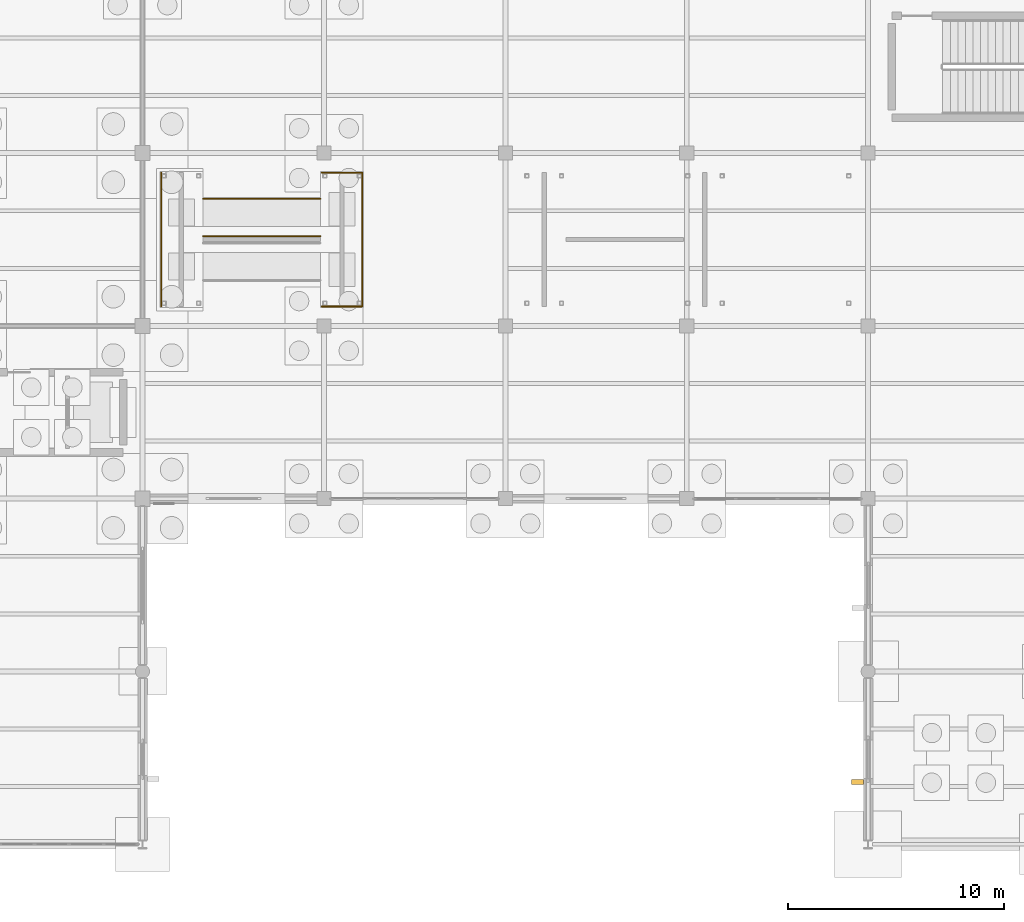
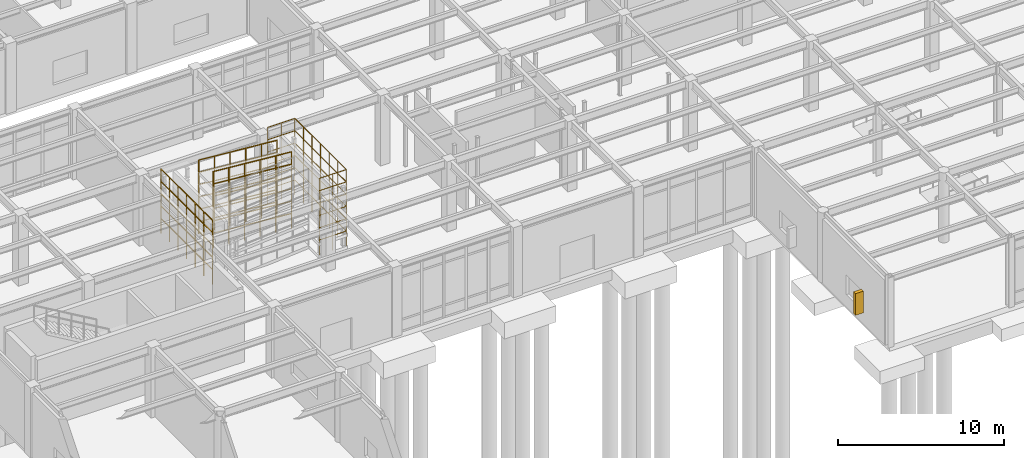
# One storey, part 125 of 138: 23 railings, 1 shading device.
"""IFC4 building model written with IfcOpenShell, lengths in metres."""

from ifc_helpers import new_model, si_unit, direction, frame, origin, origin_2d, place, context, subcontext, project, spatial, rectangle, circle, extrude, material, type_object, element, save


model = new_model("IFC4")

# Units and contexts
model_context = context("Model", 3, precision=1e-05, world=origin(), true_north=direction((0.0, 1.0)))
body_context = subcontext(model_context, "Body", "Model", "MODEL_VIEW")
ifc_project = project(units=[si_unit("LENGTHUNIT", "METRE"), si_unit("AREAUNIT", "SQUARE_METRE"), si_unit("VOLUMEUNIT", "CUBIC_METRE"), si_unit("PLANEANGLEUNIT", "RADIAN"), si_unit("MASSUNIT", "GRAM", prefix="KILO")], contexts=[model_context])

# Site, building, storey
site_placement = place(None, origin())
site = spatial("IfcSite", under=ifc_project, at=site_placement, CompositionType="ELEMENT")
building_placement = place(site_placement, origin())
building = spatial("IfcBuilding", under=site, at=building_placement, Name="Kranzveld Transit Interchange", CompositionType="ELEMENT")
storey_placement = place(building_placement, origin())
storey = spatial("IfcBuildingStorey", under=building, at=storey_placement, Name="L00", CompositionType="ELEMENT", Elevation=0.0)

# Shading device
ifc_material_1 = material(Name="Bronze-anodised thermally broken aluminium", Category="aluminium")
shading_device_type = type_object("IfcShadingDeviceType", Name="East-West Deep Clinker Solar Fin", PredefinedType="USERDEFINED", material=ifc_material_1)
shading_device_placement = place(storey_placement, frame((49.905029296875, 2.8759765625, 0.824951171875), z_axis=(0.0, 0.0, 1.0), x_axis=(0.0, 1.0, 0.0)))
element("IfcShadingDevice", 1, at=shading_device_placement, inside=storey, type_object=shading_device_type, Name="L00 Vertical Solar Fin 07/A", ObjectType="SOLAR FIN", PredefinedType="USERDEFINED", context=body_context, shape_type="SweptSolid", body=[
    extrude(rectangle(XDim=0.239990234375, YDim=0.550048828125, at=origin_2d()), origin(), (0.0, 0.0, 1.0), 1.60009765625),
])

# Railings
ifc_material_2 = material(Name="Steel S355JR", Category="steel")
railing_type_1 = type_object("IfcRailingType", Name="Stair & Ramp Handrail Steel 900", PredefinedType="HANDRAIL", material=ifc_material_2)
railing_1_placement = place(storey_placement, frame((25.0400390625, 29.889892578125, 0.453369140625)))
element("IfcRailing", 2, at=railing_1_placement, inside=storey, type_object=railing_type_1, Name="RMP-1 Flight 2 Rail H", PredefinedType="HANDRAIL", context=body_context, shape_type="SweptSolid", body=[
    extrude(circle(Radius=0.02392578125, at=origin_2d()), frame((0.0, 0.0, 0.8759765625), z_axis=(-0.996545141332, 0.0, 0.083052882481), x_axis=(0.0, -1.0, 0.0)), (0.0, 0.0, 1.0), 5.458740234375),
    extrude(circle(Radius=0.02099609375, at=origin_2d()), origin(), (0.0, 0.0, 1.0), 0.849853515625),
    extrude(circle(Radius=0.02099609375, at=origin_2d()), frame((-1.087890625, 0.0, 0.090576171875)), (0.0, 0.0, 1.0), 0.849853515625),
    extrude(circle(Radius=0.02099609375, at=origin_2d()), frame((-2.176025390625, 0.0, 0.181396484375)), (0.0, 0.0, 1.0), 0.849853515625),
    extrude(circle(Radius=0.02099609375, at=origin_2d()), frame((-3.263916015625, 0.0, 0.27197265625)), (0.0, 0.0, 1.0), 0.849853515625),
    extrude(circle(Radius=0.02099609375, at=origin_2d()), frame((-4.35205078125, 0.0, 0.36279296875)), (0.0, 0.0, 1.0), 0.849853515625),
    extrude(circle(Radius=0.02099609375, at=origin_2d()), frame((-5.43994140625, 0.0, 0.453369140625)), (0.0, 0.0, 1.0), 0.849853515625),
])
railing_2_placement = place(storey_placement, frame((25.0400390625, 29.889892578125, 1.360107421875)))
element("IfcRailing", 3, at=railing_2_placement, inside=storey, type_object=railing_type_1, Name="RMP-1 Flight 4 Rail H", PredefinedType="HANDRAIL", context=body_context, shape_type="SweptSolid", body=[
    extrude(circle(Radius=0.02392578125, at=origin_2d()), frame((0.0, 0.0, 0.8759765625), z_axis=(-0.996548841998, 0.0, 0.083008466509), x_axis=(0.0, -1.0, 0.0)), (0.0, 0.0, 1.0), 5.458740234375),
    extrude(circle(Radius=0.02099609375, at=origin_2d()), origin(), (0.0, 0.0, 1.0), 0.849853515625),
    extrude(circle(Radius=0.02099609375, at=origin_2d()), frame((-1.087890625, 0.0, 0.090576171875)), (0.0, 0.0, 1.0), 0.849853515625),
    extrude(circle(Radius=0.02099609375, at=origin_2d()), frame((-2.176025390625, 0.0, 0.18115234375)), (0.0, 0.0, 1.0), 0.849853515625),
    extrude(circle(Radius=0.02099609375, at=origin_2d()), frame((-3.263916015625, 0.0, 0.27197265625)), (0.0, 0.0, 1.0), 0.849853515625),
    extrude(circle(Radius=0.02099609375, at=origin_2d()), frame((-4.35205078125, 0.0, 0.362548828125)), (0.0, 0.0, 1.0), 0.849853515625),
    extrude(circle(Radius=0.02099609375, at=origin_2d()), frame((-5.43994140625, 0.0, 0.453125)), (0.0, 0.0, 1.0), 0.849853515625),
])
for number, where, name in (
    (4, (25.0400390625, 29.889892578125, 2.2666015625), "RMP-1 Flight 6 Rail H"),
    (5, (25.0400390625, 29.889892578125, 3.17333984375), "RMP-1 Flight 8 Rail H"),
    (6, (25.0400390625, 29.889892578125, 4.080078125), "RMP-1 Flight 10 Rail H"),
    (7, (25.0400390625, 29.889892578125, 4.986572265625), "RMP-1 Flight 12 Rail H"),
):
    element("IfcRailing", number, at=place(storey_placement, frame(where)), inside=storey, type_object=railing_type_1, Name=name, PredefinedType="HANDRAIL", context=body_context, shape_type="SweptSolid", body=[
        extrude(circle(Radius=0.02392578125, at=origin_2d()), frame((0.0, 0.0, 0.8759765625), z_axis=(-0.996545141332, 0.0, 0.083052882481), x_axis=(0.0, -1.0, 0.0)), (0.0, 0.0, 1.0), 5.458740234375),
        extrude(circle(Radius=0.02099609375, at=origin_2d()), origin(), (0.0, 0.0, 1.0), 0.849853515625),
        extrude(circle(Radius=0.02099609375, at=origin_2d()), frame((-1.087890625, 0.0, 0.090576171875)), (0.0, 0.0, 1.0), 0.849853515625),
        extrude(circle(Radius=0.02099609375, at=origin_2d()), frame((-2.176025390625, 0.0, 0.181396484375)), (0.0, 0.0, 1.0), 0.849853515625),
        extrude(circle(Radius=0.02099609375, at=origin_2d()), frame((-3.263916015625, 0.0, 0.27197265625)), (0.0, 0.0, 1.0), 0.849853515625),
        extrude(circle(Radius=0.02099609375, at=origin_2d()), frame((-4.35205078125, 0.0, 0.36279296875)), (0.0, 0.0, 1.0), 0.849853515625),
        extrude(circle(Radius=0.02099609375, at=origin_2d()), frame((-5.43994140625, 0.0, 0.453369140625)), (0.0, 0.0, 1.0), 0.849853515625),
    ])
ifc_material_3 = material(Name="Steel S355JR", Category="steel")
railing_type_2 = type_object("IfcRailingType", Name="Stair Well Guardrail Steel 1100", PredefinedType="GUARDRAIL", material=ifc_material_3)
railing_3_placement = place(storey_placement, frame((25.10009765625, 24.89990234375, 0.453369140625)))
element("IfcRailing", 8, at=railing_3_placement, inside=storey, type_object=railing_type_2, Name="RMP-1 Landing 1 Guard", PredefinedType="GUARDRAIL", context=body_context, shape_type="SweptSolid", body=[
    extrude(circle(Radius=0.02392578125, at=origin_2d()), frame((0.0, 0.0, 1.076171875), z_axis=(1.0, 0.0, 0.0), x_axis=(0.0, 1.0, 0.0)), (0.0, 0.0, 1.0), 1.851806640625),
    extrude(circle(Radius=0.02392578125, at=origin_2d()), frame((1.8798828125, 0.028076171875, 1.076171875), z_axis=(0.0, 1.0, 0.0), x_axis=(-1.0, 0.0, 0.0)), (0.0, 0.0, 1.0), 6.14404296875),
    extrude(circle(Radius=0.02392578125, at=origin_2d()), frame((1.851806640625, 6.2001953125, 1.076171875), z_axis=(-1.0, 0.0, 0.0), x_axis=(0.0, -1.0, 0.0)), (0.0, 0.0, 1.0), 1.851806640625),
    extrude(circle(Radius=0.02099609375, at=origin_2d()), origin(), (0.0, 0.0, 1.0), 1.050048828125),
    extrude(circle(Radius=0.02099609375, at=origin_2d()), frame((0.93994140625, 0.0, 0.0)), (0.0, 0.0, 1.0), 1.050048828125),
    extrude(circle(Radius=0.02099609375, at=origin_2d()), frame((1.8798828125, 0.0, 0.0)), (0.0, 0.0, 1.0), 1.050048828125),
    extrude(circle(Radius=0.02099609375, at=origin_2d()), frame((1.8798828125, 1.033447265625, 0.0)), (0.0, 0.0, 1.0), 1.050048828125),
    extrude(circle(Radius=0.02099609375, at=origin_2d()), frame((1.8798828125, 2.066650390625, 0.0)), (0.0, 0.0, 1.0), 1.050048828125),
    extrude(circle(Radius=0.02099609375, at=origin_2d()), frame((1.8798828125, 3.10009765625, 0.0)), (0.0, 0.0, 1.0), 1.050048828125),
    extrude(circle(Radius=0.02099609375, at=origin_2d()), frame((1.8798828125, 4.133544921875, 0.0)), (0.0, 0.0, 1.0), 1.050048828125),
    extrude(circle(Radius=0.02099609375, at=origin_2d()), frame((1.8798828125, 5.166748046875, 0.0)), (0.0, 0.0, 1.0), 1.050048828125),
    extrude(circle(Radius=0.02099609375, at=origin_2d()), frame((1.8798828125, 6.2001953125, 0.0)), (0.0, 0.0, 1.0), 1.050048828125),
    extrude(circle(Radius=0.02099609375, at=origin_2d()), frame((0.93994140625, 6.2001953125, 0.0)), (0.0, 0.0, 1.0), 1.050048828125),
    extrude(circle(Radius=0.02099609375, at=origin_2d()), frame((0.0, 6.2001953125, 0.0)), (0.0, 0.0, 1.0), 1.050048828125),
])
railing_4_placement = place(storey_placement, frame((25.0400390625, 28.159912109375, 0.453369140625)))
element("IfcRailing", 9, at=railing_4_placement, inside=storey, type_object=railing_type_2, Name="RMP-1 Flight 2 Rail G", PredefinedType="GUARDRAIL", context=body_context, shape_type="SweptSolid", body=[
    extrude(circle(Radius=0.02392578125, at=origin_2d()), frame((0.0, 0.0, 1.076171875), z_axis=(-0.996545141332, 0.0, 0.083052882481), x_axis=(0.0, -1.0, 0.0)), (0.0, 0.0, 1.0), 5.458740234375),
    extrude(circle(Radius=0.02099609375, at=origin_2d()), origin(), (0.0, 0.0, 1.0), 1.050048828125),
    extrude(circle(Radius=0.02099609375, at=origin_2d()), frame((-1.087890625, 0.0, 0.090576171875)), (0.0, 0.0, 1.0), 1.050048828125),
    extrude(circle(Radius=0.02099609375, at=origin_2d()), frame((-2.176025390625, 0.0, 0.181396484375)), (0.0, 0.0, 1.0), 1.050048828125),
    extrude(circle(Radius=0.02099609375, at=origin_2d()), frame((-3.263916015625, 0.0, 0.27197265625)), (0.0, 0.0, 1.0), 1.050048828125),
    extrude(circle(Radius=0.02099609375, at=origin_2d()), frame((-4.35205078125, 0.0, 0.36279296875)), (0.0, 0.0, 1.0), 1.050048828125),
    extrude(circle(Radius=0.02099609375, at=origin_2d()), frame((-5.43994140625, 0.0, 0.453369140625)), (0.0, 0.0, 1.0), 1.050048828125),
])
railing_5_placement = place(storey_placement, frame((17.659912109375, 24.89990234375, 0.90673828125)))
element("IfcRailing", 10, at=railing_5_placement, inside=storey, type_object=railing_type_2, Name="RMP-1 Landing 2 Guard", PredefinedType="GUARDRAIL", context=body_context, shape_type="SweptSolid", body=[
    extrude(circle(Radius=0.02392578125, at=origin_2d()), frame((0.0, 0.028076171875, 1.076171875), z_axis=(0.0, 1.0, 0.0), x_axis=(-1.0, 0.0, 0.0)), (0.0, 0.0, 1.0), 6.14404296875),
    extrude(circle(Radius=0.02099609375, at=origin_2d()), origin(), (0.0, 0.0, 1.0), 1.050048828125),
    extrude(circle(Radius=0.02099609375, at=origin_2d()), frame((0.0, 1.033447265625, 0.0)), (0.0, 0.0, 1.0), 1.050048828125),
    extrude(circle(Radius=0.02099609375, at=origin_2d()), frame((0.0, 2.066650390625, 0.0)), (0.0, 0.0, 1.0), 1.050048828125),
    extrude(circle(Radius=0.02099609375, at=origin_2d()), frame((0.0, 3.10009765625, 0.0)), (0.0, 0.0, 1.0), 1.050048828125),
    extrude(circle(Radius=0.02099609375, at=origin_2d()), frame((0.0, 4.133544921875, 0.0)), (0.0, 0.0, 1.0), 1.050048828125),
    extrude(circle(Radius=0.02099609375, at=origin_2d()), frame((0.0, 5.166748046875, 0.0)), (0.0, 0.0, 1.0), 1.050048828125),
    extrude(circle(Radius=0.02099609375, at=origin_2d()), frame((0.0, 6.2001953125, 0.0)), (0.0, 0.0, 1.0), 1.050048828125),
])
railing_6_placement = place(storey_placement, frame((25.10009765625, 24.89990234375, 1.360107421875)))
element("IfcRailing", 11, at=railing_6_placement, inside=storey, type_object=railing_type_2, Name="RMP-1 Landing 3 Guard", PredefinedType="GUARDRAIL", context=body_context, shape_type="SweptSolid", body=[
    extrude(circle(Radius=0.02392578125, at=origin_2d()), frame((0.0, 0.0, 1.076171875), z_axis=(1.0, 0.0, 0.0), x_axis=(0.0, 1.0, 0.0)), (0.0, 0.0, 1.0), 1.851806640625),
    extrude(circle(Radius=0.02392578125, at=origin_2d()), frame((1.8798828125, 0.028076171875, 1.076171875), z_axis=(0.0, 1.0, 0.0), x_axis=(-1.0, 0.0, 0.0)), (0.0, 0.0, 1.0), 6.14404296875),
    extrude(circle(Radius=0.02392578125, at=origin_2d()), frame((1.851806640625, 6.2001953125, 1.076171875), z_axis=(-1.0, 0.0, 0.0), x_axis=(0.0, -1.0, 0.0)), (0.0, 0.0, 1.0), 1.851806640625),
    extrude(circle(Radius=0.02099609375, at=origin_2d()), origin(), (0.0, 0.0, 1.0), 1.050048828125),
    extrude(circle(Radius=0.02099609375, at=origin_2d()), frame((0.93994140625, 0.0, 0.0)), (0.0, 0.0, 1.0), 1.050048828125),
    extrude(circle(Radius=0.02099609375, at=origin_2d()), frame((1.8798828125, 0.0, 0.0)), (0.0, 0.0, 1.0), 1.050048828125),
    extrude(circle(Radius=0.02099609375, at=origin_2d()), frame((1.8798828125, 1.033447265625, 0.0)), (0.0, 0.0, 1.0), 1.050048828125),
    extrude(circle(Radius=0.02099609375, at=origin_2d()), frame((1.8798828125, 2.066650390625, 0.0)), (0.0, 0.0, 1.0), 1.050048828125),
    extrude(circle(Radius=0.02099609375, at=origin_2d()), frame((1.8798828125, 3.10009765625, 0.0)), (0.0, 0.0, 1.0), 1.050048828125),
    extrude(circle(Radius=0.02099609375, at=origin_2d()), frame((1.8798828125, 4.133544921875, 0.0)), (0.0, 0.0, 1.0), 1.050048828125),
    extrude(circle(Radius=0.02099609375, at=origin_2d()), frame((1.8798828125, 5.166748046875, 0.0)), (0.0, 0.0, 1.0), 1.050048828125),
    extrude(circle(Radius=0.02099609375, at=origin_2d()), frame((1.8798828125, 6.2001953125, 0.0)), (0.0, 0.0, 1.0), 1.050048828125),
    extrude(circle(Radius=0.02099609375, at=origin_2d()), frame((0.93994140625, 6.2001953125, 0.0)), (0.0, 0.0, 1.0), 1.050048828125),
    extrude(circle(Radius=0.02099609375, at=origin_2d()), frame((0.0, 6.2001953125, 0.0)), (0.0, 0.0, 1.0), 1.050048828125),
])
railing_7_placement = place(storey_placement, frame((25.0400390625, 28.159912109375, 1.360107421875)))
element("IfcRailing", 12, at=railing_7_placement, inside=storey, type_object=railing_type_2, Name="RMP-1 Flight 4 Rail G", PredefinedType="GUARDRAIL", context=body_context, shape_type="SweptSolid", body=[
    extrude(circle(Radius=0.02392578125, at=origin_2d()), frame((0.0, 0.0, 1.076171875), z_axis=(-0.996548841998, 0.0, 0.083008466509), x_axis=(0.0, -1.0, 0.0)), (0.0, 0.0, 1.0), 5.458740234375),
    extrude(circle(Radius=0.02099609375, at=origin_2d()), origin(), (0.0, 0.0, 1.0), 1.050048828125),
    extrude(circle(Radius=0.02099609375, at=origin_2d()), frame((-1.087890625, 0.0, 0.090576171875)), (0.0, 0.0, 1.0), 1.050048828125),
    extrude(circle(Radius=0.02099609375, at=origin_2d()), frame((-2.176025390625, 0.0, 0.18115234375)), (0.0, 0.0, 1.0), 1.050048828125),
    extrude(circle(Radius=0.02099609375, at=origin_2d()), frame((-3.263916015625, 0.0, 0.27197265625)), (0.0, 0.0, 1.0), 1.050048828125),
    extrude(circle(Radius=0.02099609375, at=origin_2d()), frame((-4.35205078125, 0.0, 0.362548828125)), (0.0, 0.0, 1.0), 1.050048828125),
    extrude(circle(Radius=0.02099609375, at=origin_2d()), frame((-5.43994140625, 0.0, 0.453125)), (0.0, 0.0, 1.0), 1.050048828125),
])
railing_8_placement = place(storey_placement, frame((17.659912109375, 24.89990234375, 1.813232421875)))
element("IfcRailing", 13, at=railing_8_placement, inside=storey, type_object=railing_type_2, Name="RMP-1 Landing 4 Guard", PredefinedType="GUARDRAIL", context=body_context, shape_type="SweptSolid", body=[
    extrude(circle(Radius=0.02392578125, at=origin_2d()), frame((0.0, 0.028076171875, 1.076171875), z_axis=(0.0, 1.0, 0.0), x_axis=(-1.0, 0.0, 0.0)), (0.0, 0.0, 1.0), 6.14404296875),
    extrude(circle(Radius=0.02099609375, at=origin_2d()), origin(), (0.0, 0.0, 1.0), 1.050048828125),
    extrude(circle(Radius=0.02099609375, at=origin_2d()), frame((0.0, 1.033447265625, 0.0)), (0.0, 0.0, 1.0), 1.050048828125),
    extrude(circle(Radius=0.02099609375, at=origin_2d()), frame((0.0, 2.066650390625, 0.0)), (0.0, 0.0, 1.0), 1.050048828125),
    extrude(circle(Radius=0.02099609375, at=origin_2d()), frame((0.0, 3.10009765625, 0.0)), (0.0, 0.0, 1.0), 1.050048828125),
    extrude(circle(Radius=0.02099609375, at=origin_2d()), frame((0.0, 4.133544921875, 0.0)), (0.0, 0.0, 1.0), 1.050048828125),
    extrude(circle(Radius=0.02099609375, at=origin_2d()), frame((0.0, 5.166748046875, 0.0)), (0.0, 0.0, 1.0), 1.050048828125),
    extrude(circle(Radius=0.02099609375, at=origin_2d()), frame((0.0, 6.2001953125, 0.0)), (0.0, 0.0, 1.0), 1.050048828125),
])
railing_9_placement = place(storey_placement, frame((25.10009765625, 24.89990234375, 2.2666015625)))
element("IfcRailing", 14, at=railing_9_placement, inside=storey, type_object=railing_type_2, Name="RMP-1 Landing 5 Guard", PredefinedType="GUARDRAIL", context=body_context, shape_type="SweptSolid", body=[
    extrude(circle(Radius=0.02392578125, at=origin_2d()), frame((0.0, 0.0, 1.076171875), z_axis=(1.0, 0.0, 0.0), x_axis=(0.0, 1.0, 0.0)), (0.0, 0.0, 1.0), 1.851806640625),
    extrude(circle(Radius=0.02392578125, at=origin_2d()), frame((1.8798828125, 0.028076171875, 1.076171875), z_axis=(0.0, 1.0, 0.0), x_axis=(-1.0, 0.0, 0.0)), (0.0, 0.0, 1.0), 6.14404296875),
    extrude(circle(Radius=0.02392578125, at=origin_2d()), frame((1.851806640625, 6.2001953125, 1.076171875), z_axis=(-1.0, 0.0, 0.0), x_axis=(0.0, -1.0, 0.0)), (0.0, 0.0, 1.0), 1.851806640625),
    extrude(circle(Radius=0.02099609375, at=origin_2d()), origin(), (0.0, 0.0, 1.0), 1.050048828125),
    extrude(circle(Radius=0.02099609375, at=origin_2d()), frame((0.93994140625, 0.0, 0.0)), (0.0, 0.0, 1.0), 1.050048828125),
    extrude(circle(Radius=0.02099609375, at=origin_2d()), frame((1.8798828125, 0.0, 0.0)), (0.0, 0.0, 1.0), 1.050048828125),
    extrude(circle(Radius=0.02099609375, at=origin_2d()), frame((1.8798828125, 1.033447265625, 0.0)), (0.0, 0.0, 1.0), 1.050048828125),
    extrude(circle(Radius=0.02099609375, at=origin_2d()), frame((1.8798828125, 2.066650390625, 0.0)), (0.0, 0.0, 1.0), 1.050048828125),
    extrude(circle(Radius=0.02099609375, at=origin_2d()), frame((1.8798828125, 3.10009765625, 0.0)), (0.0, 0.0, 1.0), 1.050048828125),
    extrude(circle(Radius=0.02099609375, at=origin_2d()), frame((1.8798828125, 4.133544921875, 0.0)), (0.0, 0.0, 1.0), 1.050048828125),
    extrude(circle(Radius=0.02099609375, at=origin_2d()), frame((1.8798828125, 5.166748046875, 0.0)), (0.0, 0.0, 1.0), 1.050048828125),
    extrude(circle(Radius=0.02099609375, at=origin_2d()), frame((1.8798828125, 6.2001953125, 0.0)), (0.0, 0.0, 1.0), 1.050048828125),
    extrude(circle(Radius=0.02099609375, at=origin_2d()), frame((0.93994140625, 6.2001953125, 0.0)), (0.0, 0.0, 1.0), 1.050048828125),
    extrude(circle(Radius=0.02099609375, at=origin_2d()), frame((0.0, 6.2001953125, 0.0)), (0.0, 0.0, 1.0), 1.050048828125),
])
railing_10_placement = place(storey_placement, frame((25.0400390625, 28.159912109375, 2.2666015625)))
element("IfcRailing", 15, at=railing_10_placement, inside=storey, type_object=railing_type_2, Name="RMP-1 Flight 6 Rail G", PredefinedType="GUARDRAIL", context=body_context, shape_type="SweptSolid", body=[
    extrude(circle(Radius=0.02392578125, at=origin_2d()), frame((0.0, 0.0, 1.076171875), z_axis=(-0.996545141332, 0.0, 0.083052882481), x_axis=(0.0, -1.0, 0.0)), (0.0, 0.0, 1.0), 5.458740234375),
    extrude(circle(Radius=0.02099609375, at=origin_2d()), origin(), (0.0, 0.0, 1.0), 1.050048828125),
    extrude(circle(Radius=0.02099609375, at=origin_2d()), frame((-1.087890625, 0.0, 0.090576171875)), (0.0, 0.0, 1.0), 1.050048828125),
    extrude(circle(Radius=0.02099609375, at=origin_2d()), frame((-2.176025390625, 0.0, 0.181396484375)), (0.0, 0.0, 1.0), 1.050048828125),
    extrude(circle(Radius=0.02099609375, at=origin_2d()), frame((-3.263916015625, 0.0, 0.27197265625)), (0.0, 0.0, 1.0), 1.050048828125),
    extrude(circle(Radius=0.02099609375, at=origin_2d()), frame((-4.35205078125, 0.0, 0.36279296875)), (0.0, 0.0, 1.0), 1.050048828125),
    extrude(circle(Radius=0.02099609375, at=origin_2d()), frame((-5.43994140625, 0.0, 0.453369140625)), (0.0, 0.0, 1.0), 1.050048828125),
])
railing_11_placement = place(storey_placement, frame((17.659912109375, 24.89990234375, 2.719970703125)))
element("IfcRailing", 16, at=railing_11_placement, inside=storey, type_object=railing_type_2, Name="RMP-1 Landing 6 Guard", PredefinedType="GUARDRAIL", context=body_context, shape_type="SweptSolid", body=[
    extrude(circle(Radius=0.02392578125, at=origin_2d()), frame((0.0, 0.028076171875, 1.076171875), z_axis=(0.0, 1.0, 0.0), x_axis=(-1.0, 0.0, 0.0)), (0.0, 0.0, 1.0), 6.14404296875),
    extrude(circle(Radius=0.02099609375, at=origin_2d()), origin(), (0.0, 0.0, 1.0), 1.050048828125),
    extrude(circle(Radius=0.02099609375, at=origin_2d()), frame((0.0, 1.033447265625, 0.0)), (0.0, 0.0, 1.0), 1.050048828125),
    extrude(circle(Radius=0.02099609375, at=origin_2d()), frame((0.0, 2.066650390625, 0.0)), (0.0, 0.0, 1.0), 1.050048828125),
    extrude(circle(Radius=0.02099609375, at=origin_2d()), frame((0.0, 3.10009765625, 0.0)), (0.0, 0.0, 1.0), 1.050048828125),
    extrude(circle(Radius=0.02099609375, at=origin_2d()), frame((0.0, 4.133544921875, 0.0)), (0.0, 0.0, 1.0), 1.050048828125),
    extrude(circle(Radius=0.02099609375, at=origin_2d()), frame((0.0, 5.166748046875, 0.0)), (0.0, 0.0, 1.0), 1.050048828125),
    extrude(circle(Radius=0.02099609375, at=origin_2d()), frame((0.0, 6.2001953125, 0.0)), (0.0, 0.0, 1.0), 1.050048828125),
])
railing_12_placement = place(storey_placement, frame((25.10009765625, 24.89990234375, 3.17333984375)))
element("IfcRailing", 17, at=railing_12_placement, inside=storey, type_object=railing_type_2, Name="RMP-1 Landing 7 Guard", PredefinedType="GUARDRAIL", context=body_context, shape_type="SweptSolid", body=[
    extrude(circle(Radius=0.02392578125, at=origin_2d()), frame((0.0, 0.0, 1.076171875), z_axis=(1.0, 0.0, 0.0), x_axis=(0.0, 1.0, 0.0)), (0.0, 0.0, 1.0), 1.851806640625),
    extrude(circle(Radius=0.02392578125, at=origin_2d()), frame((1.8798828125, 0.028076171875, 1.076171875), z_axis=(0.0, 1.0, 0.0), x_axis=(-1.0, 0.0, 0.0)), (0.0, 0.0, 1.0), 6.14404296875),
    extrude(circle(Radius=0.02392578125, at=origin_2d()), frame((1.851806640625, 6.2001953125, 1.076171875), z_axis=(-1.0, 0.0, 0.0), x_axis=(0.0, -1.0, 0.0)), (0.0, 0.0, 1.0), 1.851806640625),
    extrude(circle(Radius=0.02099609375, at=origin_2d()), origin(), (0.0, 0.0, 1.0), 1.050048828125),
    extrude(circle(Radius=0.02099609375, at=origin_2d()), frame((0.93994140625, 0.0, 0.0)), (0.0, 0.0, 1.0), 1.050048828125),
    extrude(circle(Radius=0.02099609375, at=origin_2d()), frame((1.8798828125, 0.0, 0.0)), (0.0, 0.0, 1.0), 1.050048828125),
    extrude(circle(Radius=0.02099609375, at=origin_2d()), frame((1.8798828125, 1.033447265625, 0.0)), (0.0, 0.0, 1.0), 1.050048828125),
    extrude(circle(Radius=0.02099609375, at=origin_2d()), frame((1.8798828125, 2.066650390625, 0.0)), (0.0, 0.0, 1.0), 1.050048828125),
    extrude(circle(Radius=0.02099609375, at=origin_2d()), frame((1.8798828125, 3.10009765625, 0.0)), (0.0, 0.0, 1.0), 1.050048828125),
    extrude(circle(Radius=0.02099609375, at=origin_2d()), frame((1.8798828125, 4.133544921875, 0.0)), (0.0, 0.0, 1.0), 1.050048828125),
    extrude(circle(Radius=0.02099609375, at=origin_2d()), frame((1.8798828125, 5.166748046875, 0.0)), (0.0, 0.0, 1.0), 1.050048828125),
    extrude(circle(Radius=0.02099609375, at=origin_2d()), frame((1.8798828125, 6.2001953125, 0.0)), (0.0, 0.0, 1.0), 1.050048828125),
    extrude(circle(Radius=0.02099609375, at=origin_2d()), frame((0.93994140625, 6.2001953125, 0.0)), (0.0, 0.0, 1.0), 1.050048828125),
    extrude(circle(Radius=0.02099609375, at=origin_2d()), frame((0.0, 6.2001953125, 0.0)), (0.0, 0.0, 1.0), 1.050048828125),
])
railing_13_placement = place(storey_placement, frame((25.0400390625, 28.159912109375, 3.17333984375)))
element("IfcRailing", 18, at=railing_13_placement, inside=storey, type_object=railing_type_2, Name="RMP-1 Flight 8 Rail G", PredefinedType="GUARDRAIL", context=body_context, shape_type="SweptSolid", body=[
    extrude(circle(Radius=0.02392578125, at=origin_2d()), frame((0.0, 0.0, 1.076171875), z_axis=(-0.996545141332, 0.0, 0.083052882481), x_axis=(0.0, -1.0, 0.0)), (0.0, 0.0, 1.0), 5.458740234375),
    extrude(circle(Radius=0.02099609375, at=origin_2d()), origin(), (0.0, 0.0, 1.0), 1.050048828125),
    extrude(circle(Radius=0.02099609375, at=origin_2d()), frame((-1.087890625, 0.0, 0.090576171875)), (0.0, 0.0, 1.0), 1.050048828125),
    extrude(circle(Radius=0.02099609375, at=origin_2d()), frame((-2.176025390625, 0.0, 0.181396484375)), (0.0, 0.0, 1.0), 1.050048828125),
    extrude(circle(Radius=0.02099609375, at=origin_2d()), frame((-3.263916015625, 0.0, 0.27197265625)), (0.0, 0.0, 1.0), 1.050048828125),
    extrude(circle(Radius=0.02099609375, at=origin_2d()), frame((-4.35205078125, 0.0, 0.36279296875)), (0.0, 0.0, 1.0), 1.050048828125),
    extrude(circle(Radius=0.02099609375, at=origin_2d()), frame((-5.43994140625, 0.0, 0.453369140625)), (0.0, 0.0, 1.0), 1.050048828125),
])
railing_14_placement = place(storey_placement, frame((17.659912109375, 24.89990234375, 3.626708984375)))
element("IfcRailing", 19, at=railing_14_placement, inside=storey, type_object=railing_type_2, Name="RMP-1 Landing 8 Guard", PredefinedType="GUARDRAIL", context=body_context, shape_type="SweptSolid", body=[
    extrude(circle(Radius=0.02392578125, at=origin_2d()), frame((0.0, 0.028076171875, 1.076171875), z_axis=(0.0, 1.0, 0.0), x_axis=(-1.0, 0.0, 0.0)), (0.0, 0.0, 1.0), 6.14404296875),
    extrude(circle(Radius=0.02099609375, at=origin_2d()), origin(), (0.0, 0.0, 1.0), 1.050048828125),
    extrude(circle(Radius=0.02099609375, at=origin_2d()), frame((0.0, 1.033447265625, 0.0)), (0.0, 0.0, 1.0), 1.050048828125),
    extrude(circle(Radius=0.02099609375, at=origin_2d()), frame((0.0, 2.066650390625, 0.0)), (0.0, 0.0, 1.0), 1.050048828125),
    extrude(circle(Radius=0.02099609375, at=origin_2d()), frame((0.0, 3.10009765625, 0.0)), (0.0, 0.0, 1.0), 1.050048828125),
    extrude(circle(Radius=0.02099609375, at=origin_2d()), frame((0.0, 4.133544921875, 0.0)), (0.0, 0.0, 1.0), 1.050048828125),
    extrude(circle(Radius=0.02099609375, at=origin_2d()), frame((0.0, 5.166748046875, 0.0)), (0.0, 0.0, 1.0), 1.050048828125),
    extrude(circle(Radius=0.02099609375, at=origin_2d()), frame((0.0, 6.2001953125, 0.0)), (0.0, 0.0, 1.0), 1.050048828125),
])
railing_15_placement = place(storey_placement, frame((25.10009765625, 24.89990234375, 4.080078125)))
element("IfcRailing", 20, at=railing_15_placement, inside=storey, type_object=railing_type_2, Name="RMP-1 Landing 9 Guard", PredefinedType="GUARDRAIL", context=body_context, shape_type="SweptSolid", body=[
    extrude(circle(Radius=0.02392578125, at=origin_2d()), frame((0.0, 0.0, 1.076171875), z_axis=(1.0, 0.0, 0.0), x_axis=(0.0, 1.0, 0.0)), (0.0, 0.0, 1.0), 1.851806640625),
    extrude(circle(Radius=0.02392578125, at=origin_2d()), frame((1.8798828125, 0.028076171875, 1.076171875), z_axis=(0.0, 1.0, 0.0), x_axis=(-1.0, 0.0, 0.0)), (0.0, 0.0, 1.0), 6.14404296875),
    extrude(circle(Radius=0.02392578125, at=origin_2d()), frame((1.851806640625, 6.2001953125, 1.076171875), z_axis=(-1.0, 0.0, 0.0), x_axis=(0.0, -1.0, 0.0)), (0.0, 0.0, 1.0), 1.851806640625),
    extrude(circle(Radius=0.02099609375, at=origin_2d()), origin(), (0.0, 0.0, 1.0), 1.050048828125),
    extrude(circle(Radius=0.02099609375, at=origin_2d()), frame((0.93994140625, 0.0, 0.0)), (0.0, 0.0, 1.0), 1.050048828125),
    extrude(circle(Radius=0.02099609375, at=origin_2d()), frame((1.8798828125, 0.0, 0.0)), (0.0, 0.0, 1.0), 1.050048828125),
    extrude(circle(Radius=0.02099609375, at=origin_2d()), frame((1.8798828125, 1.033447265625, 0.0)), (0.0, 0.0, 1.0), 1.050048828125),
    extrude(circle(Radius=0.02099609375, at=origin_2d()), frame((1.8798828125, 2.066650390625, 0.0)), (0.0, 0.0, 1.0), 1.050048828125),
    extrude(circle(Radius=0.02099609375, at=origin_2d()), frame((1.8798828125, 3.10009765625, 0.0)), (0.0, 0.0, 1.0), 1.050048828125),
    extrude(circle(Radius=0.02099609375, at=origin_2d()), frame((1.8798828125, 4.133544921875, 0.0)), (0.0, 0.0, 1.0), 1.050048828125),
    extrude(circle(Radius=0.02099609375, at=origin_2d()), frame((1.8798828125, 5.166748046875, 0.0)), (0.0, 0.0, 1.0), 1.050048828125),
    extrude(circle(Radius=0.02099609375, at=origin_2d()), frame((1.8798828125, 6.2001953125, 0.0)), (0.0, 0.0, 1.0), 1.050048828125),
    extrude(circle(Radius=0.02099609375, at=origin_2d()), frame((0.93994140625, 6.2001953125, 0.0)), (0.0, 0.0, 1.0), 1.050048828125),
    extrude(circle(Radius=0.02099609375, at=origin_2d()), frame((0.0, 6.2001953125, 0.0)), (0.0, 0.0, 1.0), 1.050048828125),
])
railing_16_placement = place(storey_placement, frame((25.0400390625, 28.159912109375, 4.080078125)))
element("IfcRailing", 21, at=railing_16_placement, inside=storey, type_object=railing_type_2, Name="RMP-1 Flight 10 Rail G", PredefinedType="GUARDRAIL", context=body_context, shape_type="SweptSolid", body=[
    extrude(circle(Radius=0.02392578125, at=origin_2d()), frame((0.0, 0.0, 1.076171875), z_axis=(-0.996545141332, 0.0, 0.083052882481), x_axis=(0.0, -1.0, 0.0)), (0.0, 0.0, 1.0), 5.458740234375),
    extrude(circle(Radius=0.02099609375, at=origin_2d()), origin(), (0.0, 0.0, 1.0), 1.050048828125),
    extrude(circle(Radius=0.02099609375, at=origin_2d()), frame((-1.087890625, 0.0, 0.090576171875)), (0.0, 0.0, 1.0), 1.050048828125),
    extrude(circle(Radius=0.02099609375, at=origin_2d()), frame((-2.176025390625, 0.0, 0.181396484375)), (0.0, 0.0, 1.0), 1.050048828125),
    extrude(circle(Radius=0.02099609375, at=origin_2d()), frame((-3.263916015625, 0.0, 0.27197265625)), (0.0, 0.0, 1.0), 1.050048828125),
    extrude(circle(Radius=0.02099609375, at=origin_2d()), frame((-4.35205078125, 0.0, 0.36279296875)), (0.0, 0.0, 1.0), 1.050048828125),
    extrude(circle(Radius=0.02099609375, at=origin_2d()), frame((-5.43994140625, 0.0, 0.453369140625)), (0.0, 0.0, 1.0), 1.050048828125),
])
railing_17_placement = place(storey_placement, frame((17.659912109375, 24.89990234375, 4.533447265625)))
element("IfcRailing", 22, at=railing_17_placement, inside=storey, type_object=railing_type_2, Name="RMP-1 Landing 10 Guard", PredefinedType="GUARDRAIL", context=body_context, shape_type="SweptSolid", body=[
    extrude(circle(Radius=0.02392578125, at=origin_2d()), frame((0.0, 0.028076171875, 1.076171875), z_axis=(0.0, 1.0, 0.0), x_axis=(-1.0, 0.0, 0.0)), (0.0, 0.0, 1.0), 6.14404296875),
    extrude(circle(Radius=0.02099609375, at=origin_2d()), origin(), (0.0, 0.0, 1.0), 1.050048828125),
    extrude(circle(Radius=0.02099609375, at=origin_2d()), frame((0.0, 1.033447265625, 0.0)), (0.0, 0.0, 1.0), 1.050048828125),
    extrude(circle(Radius=0.02099609375, at=origin_2d()), frame((0.0, 2.066650390625, 0.0)), (0.0, 0.0, 1.0), 1.050048828125),
    extrude(circle(Radius=0.02099609375, at=origin_2d()), frame((0.0, 3.10009765625, 0.0)), (0.0, 0.0, 1.0), 1.050048828125),
    extrude(circle(Radius=0.02099609375, at=origin_2d()), frame((0.0, 4.133544921875, 0.0)), (0.0, 0.0, 1.0), 1.050048828125),
    extrude(circle(Radius=0.02099609375, at=origin_2d()), frame((0.0, 5.166748046875, 0.0)), (0.0, 0.0, 1.0), 1.050048828125),
    extrude(circle(Radius=0.02099609375, at=origin_2d()), frame((0.0, 6.2001953125, 0.0)), (0.0, 0.0, 1.0), 1.050048828125),
])
railing_18_placement = place(storey_placement, frame((25.10009765625, 24.89990234375, 4.986572265625)))
element("IfcRailing", 23, at=railing_18_placement, inside=storey, type_object=railing_type_2, Name="RMP-1 Landing 11 Guard", PredefinedType="GUARDRAIL", context=body_context, shape_type="SweptSolid", body=[
    extrude(circle(Radius=0.02392578125, at=origin_2d()), frame((0.0, 0.0, 1.076171875), z_axis=(1.0, 0.0, 0.0), x_axis=(0.0, 1.0, 0.0)), (0.0, 0.0, 1.0), 1.851806640625),
    extrude(circle(Radius=0.02392578125, at=origin_2d()), frame((1.8798828125, 0.028076171875, 1.076171875), z_axis=(0.0, 1.0, 0.0), x_axis=(-1.0, 0.0, 0.0)), (0.0, 0.0, 1.0), 6.14404296875),
    extrude(circle(Radius=0.02392578125, at=origin_2d()), frame((1.851806640625, 6.2001953125, 1.076171875), z_axis=(-1.0, 0.0, 0.0), x_axis=(0.0, -1.0, 0.0)), (0.0, 0.0, 1.0), 1.851806640625),
    extrude(circle(Radius=0.02099609375, at=origin_2d()), origin(), (0.0, 0.0, 1.0), 1.050048828125),
    extrude(circle(Radius=0.02099609375, at=origin_2d()), frame((0.93994140625, 0.0, 0.0)), (0.0, 0.0, 1.0), 1.050048828125),
    extrude(circle(Radius=0.02099609375, at=origin_2d()), frame((1.8798828125, 0.0, 0.0)), (0.0, 0.0, 1.0), 1.050048828125),
    extrude(circle(Radius=0.02099609375, at=origin_2d()), frame((1.8798828125, 1.033447265625, 0.0)), (0.0, 0.0, 1.0), 1.050048828125),
    extrude(circle(Radius=0.02099609375, at=origin_2d()), frame((1.8798828125, 2.066650390625, 0.0)), (0.0, 0.0, 1.0), 1.050048828125),
    extrude(circle(Radius=0.02099609375, at=origin_2d()), frame((1.8798828125, 3.10009765625, 0.0)), (0.0, 0.0, 1.0), 1.050048828125),
    extrude(circle(Radius=0.02099609375, at=origin_2d()), frame((1.8798828125, 4.133544921875, 0.0)), (0.0, 0.0, 1.0), 1.050048828125),
    extrude(circle(Radius=0.02099609375, at=origin_2d()), frame((1.8798828125, 5.166748046875, 0.0)), (0.0, 0.0, 1.0), 1.050048828125),
    extrude(circle(Radius=0.02099609375, at=origin_2d()), frame((1.8798828125, 6.2001953125, 0.0)), (0.0, 0.0, 1.0), 1.050048828125),
    extrude(circle(Radius=0.02099609375, at=origin_2d()), frame((0.93994140625, 6.2001953125, 0.0)), (0.0, 0.0, 1.0), 1.050048828125),
    extrude(circle(Radius=0.02099609375, at=origin_2d()), frame((0.0, 6.2001953125, 0.0)), (0.0, 0.0, 1.0), 1.050048828125),
])
railing_19_placement = place(storey_placement, frame((25.0400390625, 28.159912109375, 4.986572265625)))
element("IfcRailing", 24, at=railing_19_placement, inside=storey, type_object=railing_type_2, Name="RMP-1 Flight 12 Rail G", PredefinedType="GUARDRAIL", context=body_context, shape_type="SweptSolid", body=[
    extrude(circle(Radius=0.02392578125, at=origin_2d()), frame((0.0, 0.0, 1.076171875), z_axis=(-0.996545141332, 0.0, 0.083052882481), x_axis=(0.0, -1.0, 0.0)), (0.0, 0.0, 1.0), 5.458740234375),
    extrude(circle(Radius=0.02099609375, at=origin_2d()), origin(), (0.0, 0.0, 1.0), 1.050048828125),
    extrude(circle(Radius=0.02099609375, at=origin_2d()), frame((-1.087890625, 0.0, 0.090576171875)), (0.0, 0.0, 1.0), 1.050048828125),
    extrude(circle(Radius=0.02099609375, at=origin_2d()), frame((-2.176025390625, 0.0, 0.181396484375)), (0.0, 0.0, 1.0), 1.050048828125),
    extrude(circle(Radius=0.02099609375, at=origin_2d()), frame((-3.263916015625, 0.0, 0.27197265625)), (0.0, 0.0, 1.0), 1.050048828125),
    extrude(circle(Radius=0.02099609375, at=origin_2d()), frame((-4.35205078125, 0.0, 0.36279296875)), (0.0, 0.0, 1.0), 1.050048828125),
    extrude(circle(Radius=0.02099609375, at=origin_2d()), frame((-5.43994140625, 0.0, 0.453369140625)), (0.0, 0.0, 1.0), 1.050048828125),
])

save(model, "model.ifc")
